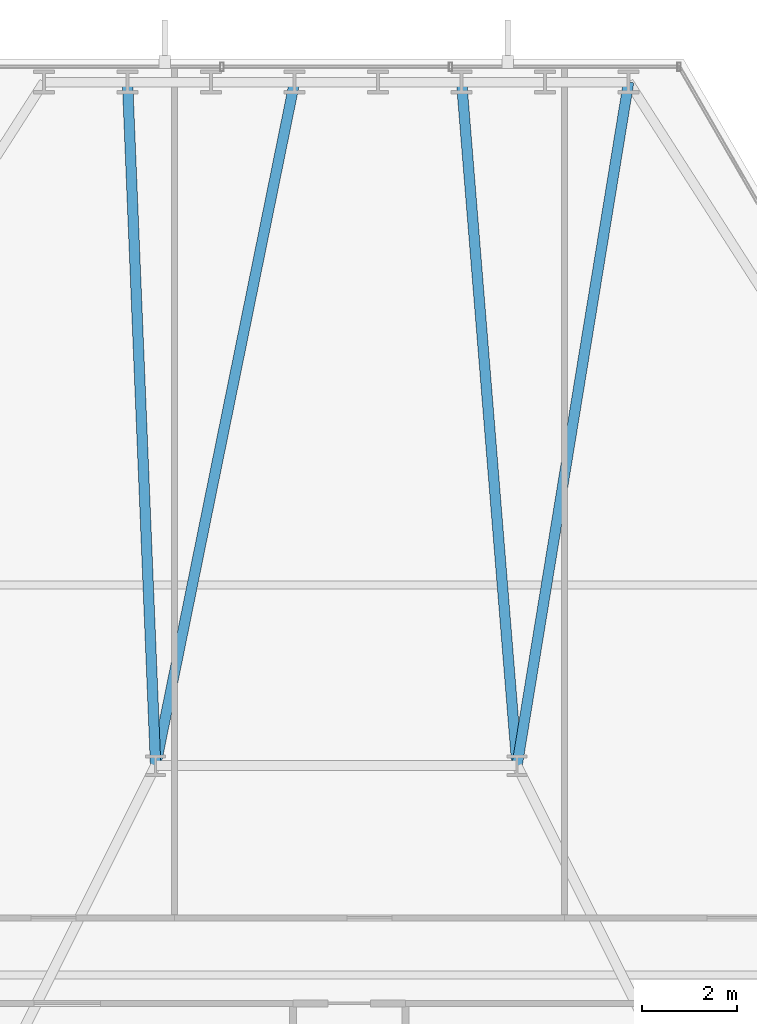
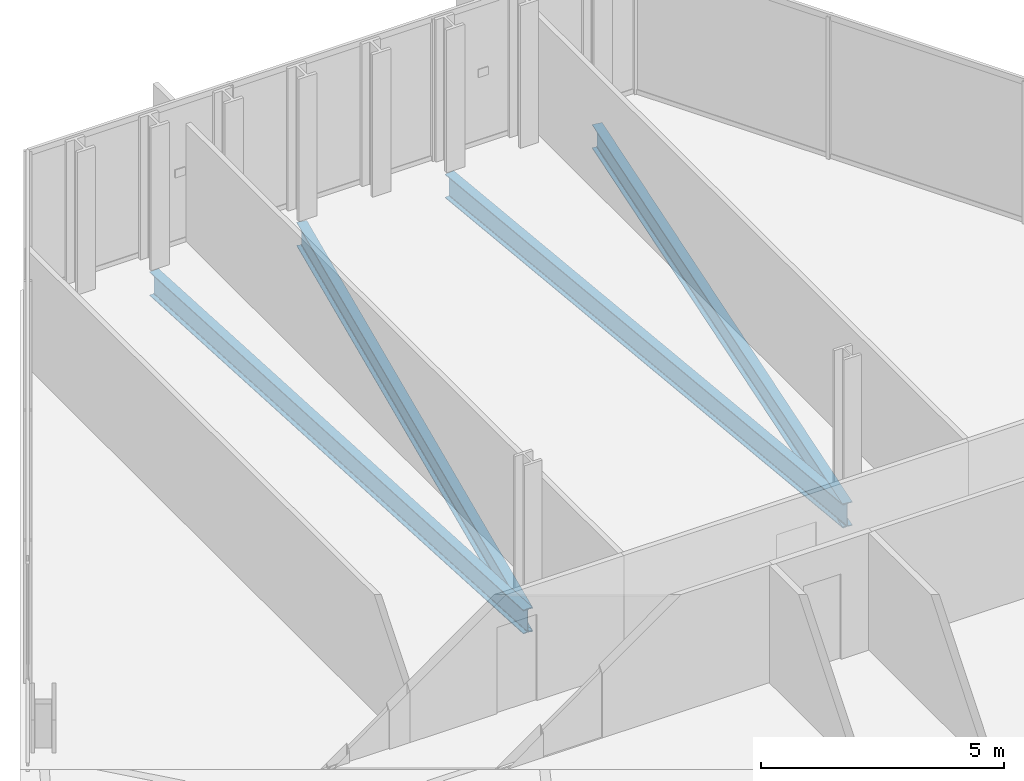
# One storey, part 23 of 33: 4 beams.
"""IFC4 building model written with IfcOpenShell, lengths in metres."""

from ifc_helpers import new_model, si_unit, direction, frame, origin, origin_2d, place, context, subcontext, project, spatial, i_section, extrude, material, material_profile, profile_set, type_object, element, save


model = new_model("IFC4")

# Units and contexts
model_context = context("Model", 3, precision=1e-05, world=origin(), true_north=direction((0.0, 1.0)))
body_context = subcontext(model_context, "Body", "Model", "MODEL_VIEW")
ifc_project = project(units=[si_unit("LENGTHUNIT", "METRE"), si_unit("AREAUNIT", "SQUARE_METRE"), si_unit("VOLUMEUNIT", "CUBIC_METRE"), si_unit("PLANEANGLEUNIT", "RADIAN"), si_unit("MASSUNIT", "GRAM", prefix="KILO")], contexts=[model_context])

# Site, building, storey
site_placement = place(None, origin())
site = spatial("IfcSite", under=ifc_project, at=site_placement, CompositionType="ELEMENT")
building_placement = place(site_placement, origin())
building = spatial("IfcBuilding", under=site, at=building_placement, Name="Ndaravel Arena Tower", CompositionType="ELEMENT")
storey_placement = place(building_placement, frame((0.0, 0.0, 85.39990234375)))
storey = spatial("IfcBuildingStorey", under=building, at=storey_placement, Name="L19", CompositionType="ELEMENT", Elevation=85.39990234375)

# Beams
ifc_material = material(Name="Steel S355", Category="steel")
ifc_material_profile = material_profile(ifc_material, i_section(OverallWidth=0.219970703125, OverallDepth=0.60009765625, WebThickness=0.011962890625, FlangeThickness=0.01904296875, FilletRadius=0.02392578125, at=origin_2d()), Name="IPE 600")
ifc_profile_set = profile_set([ifc_material_profile], Name="Steel S355")
beam_type = type_object("IfcBeamType", Name="BM-GIRD-IPE600", PredefinedType="BEAM", material=ifc_profile_set)
beam_1_placement = place(storey_placement, frame((48.147216796875, 45.575927734375, -0.52001953125), z_axis=(-0.161136563315, -0.986932119228, 0.0), x_axis=(0.986932119228, -0.161136563315, 0.0)))
element("IfcBeam", 1, at=beam_1_placement, inside=storey, type_object=beam_type, Name="L19 Radial Floor Girder FG-11", PredefinedType="BEAM", context=body_context, shape_type="SweptSolid", body=[
    extrude(i_section(OverallWidth=0.219970703125, OverallDepth=0.60009765625, WebThickness=0.011962890625, FlangeThickness=0.01904296875, FilletRadius=0.02392578125, at=origin_2d()), origin(), (0.0, 0.0, 1.0), 14.56640625),
])
beam_2_placement = place(storey_placement, frame((44.634521484375, 45.575927734375, -0.52001953125), z_axis=(0.080809505784, -0.996729564012, 0.0), x_axis=(0.996729564012, 0.080809505784, 0.0)))
element("IfcBeam", 2, at=beam_2_placement, inside=storey, type_object=beam_type, Name="L19 Radial Floor Girder FG-13", PredefinedType="BEAM", context=body_context, shape_type="SweptSolid", body=[
    extrude(i_section(OverallWidth=0.219970703125, OverallDepth=0.60009765625, WebThickness=0.011962890625, FlangeThickness=0.01904296875, FilletRadius=0.02392578125, at=origin_2d()), origin(), (0.0, 0.0, 1.0), 14.423095703125),
])
beam_3_placement = place(storey_placement, frame((41.121826171875, 45.575927734375, -0.52001953125), z_axis=(-0.199174799524, -0.979963978539, 0.0), x_axis=(0.979963978539, -0.199174799524, 0.0)))
element("IfcBeam", 3, at=beam_3_placement, inside=storey, type_object=beam_type, Name="L19 Radial Floor Girder FG-15", PredefinedType="BEAM", context=body_context, shape_type="SweptSolid", body=[
    extrude(i_section(OverallWidth=0.219970703125, OverallDepth=0.60009765625, WebThickness=0.011962890625, FlangeThickness=0.01904296875, FilletRadius=0.02392578125, at=origin_2d()), origin(), (0.0, 0.0, 1.0), 14.669921875),
])
beam_4_placement = place(storey_placement, frame((37.609375, 45.575927734375, -0.52001953125), z_axis=(0.041046148223, -0.999157251746, 0.0), x_axis=(0.999157251746, 0.041046148223, 0.0)))
element("IfcBeam", 4, at=beam_4_placement, inside=storey, type_object=beam_type, Name="L19 Radial Floor Girder FG-17", PredefinedType="BEAM", context=body_context, shape_type="SweptSolid", body=[
    extrude(i_section(OverallWidth=0.219970703125, OverallDepth=0.60009765625, WebThickness=0.011962890625, FlangeThickness=0.01904296875, FilletRadius=0.02392578125, at=origin_2d()), origin(), (0.0, 0.0, 1.0), 14.38818359375),
])

save(model, "model.ifc")
